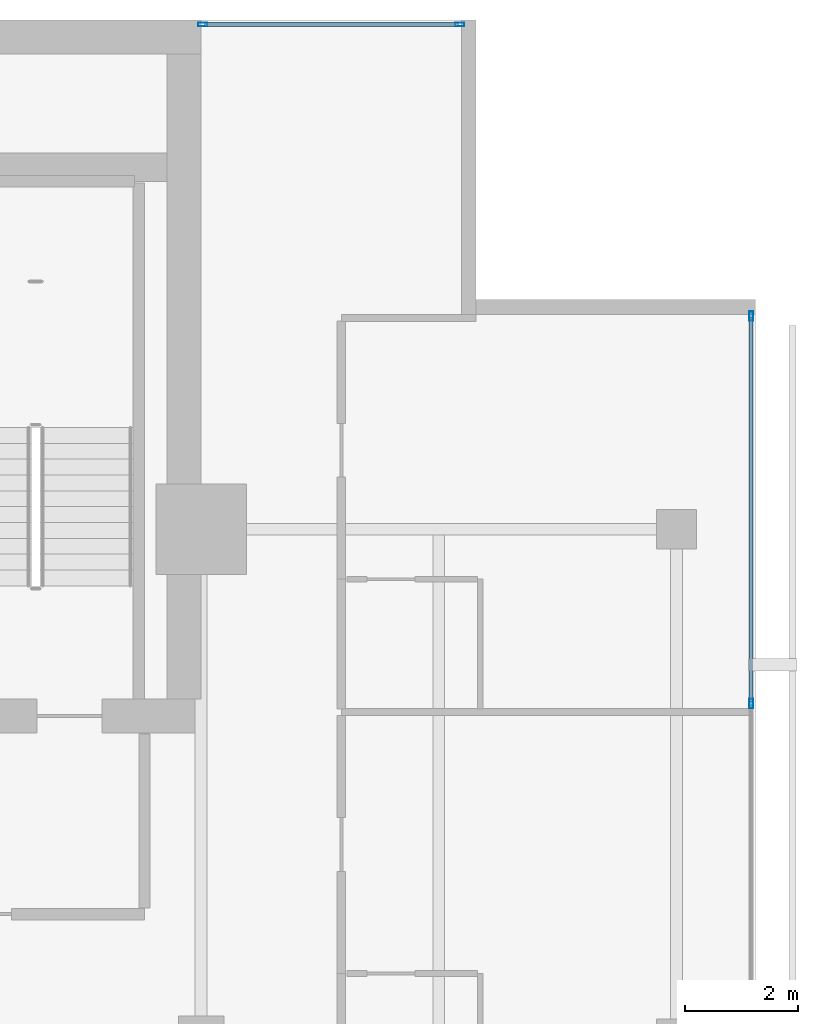
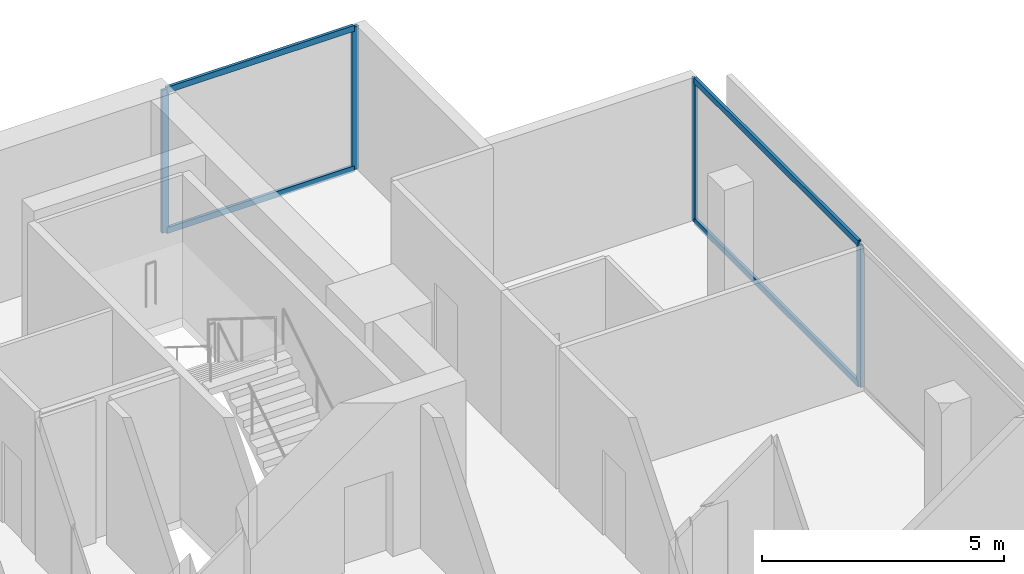
# One storey, part 18 of 26: 8 members, 2 elements without a shape of their own.
"""IFC4 building model written with IfcOpenShell, lengths in metres."""

from ifc_helpers import new_model, si_unit, direction, frame, origin, origin_2d, place, context, subcontext, project, spatial, hollow_rectangle, extrude, material, layer, layer_set, material_profile, profile_set, type_object, element, aggregate, save


model = new_model("IFC4")

# Units and contexts
model_context = context("Model", 3, precision=1e-05, world=origin(), true_north=direction((0.0, 1.0)))
body_context = subcontext(model_context, "Body", "Model", "MODEL_VIEW")
ifc_project = project(units=[si_unit("LENGTHUNIT", "METRE"), si_unit("AREAUNIT", "SQUARE_METRE"), si_unit("VOLUMEUNIT", "CUBIC_METRE"), si_unit("PLANEANGLEUNIT", "RADIAN"), si_unit("MASSUNIT", "GRAM", prefix="KILO")], contexts=[model_context])

# Site, building, storey
site_placement = place(None, origin())
site = spatial("IfcSite", under=ifc_project, at=site_placement, CompositionType="ELEMENT")
building_placement = place(site_placement, origin())
building = spatial("IfcBuilding", under=site, at=building_placement, Name="Maruvema Waterfront Hotel and Observation Tower", CompositionType="ELEMENT")
storey_placement = place(building_placement, frame((0.0, 0.0, 254.800048828125)))
storey = spatial("IfcBuildingStorey", under=building, at=storey_placement, Name="L62", CompositionType="ELEMENT", Elevation=254.800048828125)

# Curtain wall, members
ifc_material_1 = material(Name="Anodised bronze aluminium and solar-control low-E IGU", Category="aluminium")
ifc_layer = layer(ifc_material_1, 0.159912109375, Name="Zone 3 Champagne Inner Thermal Curtain Wall System CW-04")
ifc_layer_set = layer_set([ifc_layer], Name="Anodised bronze aluminium and solar-control low-E IGU")
curtain_wall_type = type_object("IfcCurtainWallType", Name="Zone 3 Champagne Inner Thermal Curtain Wall System CW-04", PredefinedType="USERDEFINED", material=ifc_layer_set)
curtain_wall_1_placement = place(storey_placement, origin())
curtain_wall_1 = element("IfcCurtainWall", 1, at=curtain_wall_1_placement, inside=storey, type_object=curtain_wall_type, Name="L62 Curtain Wall CW-L62-E", ObjectType="UNITISED CURTAIN WALL", PredefinedType="USERDEFINED")
ifc_material_2 = material(Name="Anodised architectural bronze aluminium", Category="aluminium")
ifc_material_profile_1 = material_profile(ifc_material_2, hollow_rectangle(XDim=0.070068359375, YDim=0.14990234375, WallThickness=0.00390625, at=origin_2d()), Name="ALU-T70x150")
ifc_profile_set_1 = profile_set([ifc_material_profile_1], Name="Anodised architectural bronze aluminium")
member_type_1 = type_object("IfcMemberType", Name="Curtain Wall Horizontal Transom ALU-T70x150", PredefinedType="USERDEFINED", material=ifc_profile_set_1)
member_1_placement = place(storey_placement, frame((60.1201171875, 41.949951171875, 0.030029296875), z_axis=(0.0, 1.0, 0.0), x_axis=(-1.0, 0.0, 0.0)))
member_1 = element("IfcMember", 2, at=member_1_placement, type_object=member_type_1, Name="CW-04 transom 5.1", ObjectType="TRANSOM", PredefinedType="USERDEFINED", context=body_context, shape_type="SweptSolid", body=[
    extrude(hollow_rectangle(XDim=0.070068359375, YDim=0.14990234375, WallThickness=0.00390625, at=origin_2d()), origin(), (0.0, 0.0, 1.0), 6.7900390625),
])
member_2_placement = place(storey_placement, frame((60.1201171875, 41.949951171875, 3.579833984375), z_axis=(0.0, 1.0, 0.0), x_axis=(-1.0, 0.0, 0.0)))
member_2 = element("IfcMember", 3, at=member_2_placement, type_object=member_type_1, Name="CW-04 transom 5.2", ObjectType="TRANSOM", PredefinedType="USERDEFINED", context=body_context, shape_type="SweptSolid", body=[
    extrude(hollow_rectangle(XDim=0.070068359375, YDim=0.14990234375, WallThickness=0.00390625, at=origin_2d()), origin(), (0.0, 0.0, 1.0), 6.7900390625),
])

curtain_wall_2_placement = place(storey_placement, origin())
curtain_wall_2 = element("IfcCurtainWall", 4, at=curtain_wall_2_placement, inside=storey, type_object=curtain_wall_type, Name="L62 Curtain Wall CW-L62-NE", ObjectType="UNITISED CURTAIN WALL", PredefinedType="USERDEFINED")
member_3_placement = place(storey_placement, frame((54.93994140625, 53.919921875, 0.030029296875), z_axis=(-1.0, 0.0, 0.0), x_axis=(0.0, -1.0, 0.0)))
member_3 = element("IfcMember", 5, at=member_3_placement, type_object=member_type_1, Name="CW-04 transom 1.1", ObjectType="TRANSOM", PredefinedType="USERDEFINED", context=body_context, shape_type="SweptSolid", body=[
    extrude(hollow_rectangle(XDim=0.070068359375, YDim=0.14990234375, WallThickness=0.00390625, at=origin_2d()), origin(), (0.0, 0.0, 1.0), 4.47998046875),
])
member_4_placement = place(storey_placement, frame((54.93994140625, 53.919921875, 3.579833984375), z_axis=(-1.0, 0.0, 0.0), x_axis=(0.0, -1.0, 0.0)))
member_4 = element("IfcMember", 6, at=member_4_placement, type_object=member_type_1, Name="CW-04 transom 1.2", ObjectType="TRANSOM", PredefinedType="USERDEFINED", context=body_context, shape_type="SweptSolid", body=[
    extrude(hollow_rectangle(XDim=0.070068359375, YDim=0.14990234375, WallThickness=0.00390625, at=origin_2d()), origin(), (0.0, 0.0, 1.0), 4.47998046875),
])

# Member
ifc_material_3 = material(Name="Anodised architectural bronze aluminium", Category="aluminium")
ifc_material_profile_2 = material_profile(ifc_material_3, hollow_rectangle(XDim=0.06494140625, YDim=0.1650390625, WallThickness=0.00390625, at=origin_2d()), Name="ALU-M65x165")
ifc_profile_set_2 = profile_set([ifc_material_profile_2], Name="Anodised architectural bronze aluminium")
member_type_2 = type_object("IfcMemberType", Name="Curtain Wall Primary Mullion ALU-M65x165", PredefinedType="MULLION", material=ifc_profile_set_2)
member_5_placement = place(storey_placement, frame((60.1201171875, 41.919921875, 0.0), z_axis=(0.0, 0.0, 1.0), x_axis=(-1.0, 0.0, 0.0)))
member_5 = element("IfcMember", 7, at=member_5_placement, type_object=member_type_2, Name="CW-04 mullion 5", PredefinedType="MULLION", context=body_context, shape_type="SweptSolid", body=[
    extrude(hollow_rectangle(XDim=0.06494140625, YDim=0.1650390625, WallThickness=0.00390625, at=origin_2d()), origin(), (0.0, 0.0, 1.0), 3.60986328125),
])

member_6_placement = place(storey_placement, frame((60.1201171875, 48.77001953125, 0.0), z_axis=(0.0, 0.0, 1.0), x_axis=(-1.0, 0.0, 0.0)))
member_6 = element("IfcMember", 8, at=member_6_placement, type_object=member_type_2, Name="CW-04 mullion 6", PredefinedType="MULLION", context=body_context, shape_type="SweptSolid", body=[
    extrude(hollow_rectangle(XDim=0.06494140625, YDim=0.1650390625, WallThickness=0.00390625, at=origin_2d()), origin(), (0.0, 0.0, 1.0), 3.60986328125),
])

aggregate(curtain_wall_1, [member_5, member_6, member_1, member_2])

member_7_placement = place(storey_placement, frame((54.969970703125, 53.919921875, 0.0), z_axis=(0.0, 0.0, 1.0), x_axis=(0.0, -1.0, 0.0)))
member_7 = element("IfcMember", 9, at=member_7_placement, type_object=member_type_2, Name="CW-04 mullion 1", PredefinedType="MULLION", context=body_context, shape_type="SweptSolid", body=[
    extrude(hollow_rectangle(XDim=0.06494140625, YDim=0.1650390625, WallThickness=0.00390625, at=origin_2d()), origin(), (0.0, 0.0, 1.0), 3.60986328125),
])

member_8_placement = place(storey_placement, frame((50.429931640625, 53.919921875, 0.0), z_axis=(0.0, 0.0, 1.0), x_axis=(0.0, -1.0, 0.0)))
member_8 = element("IfcMember", 10, at=member_8_placement, type_object=member_type_2, Name="CW-04 mullion 2", PredefinedType="MULLION", context=body_context, shape_type="SweptSolid", body=[
    extrude(hollow_rectangle(XDim=0.06494140625, YDim=0.1650390625, WallThickness=0.00390625, at=origin_2d()), origin(), (0.0, 0.0, 1.0), 3.60986328125),
])

aggregate(curtain_wall_2, [member_7, member_8, member_3, member_4])

save(model, "model.ifc")
